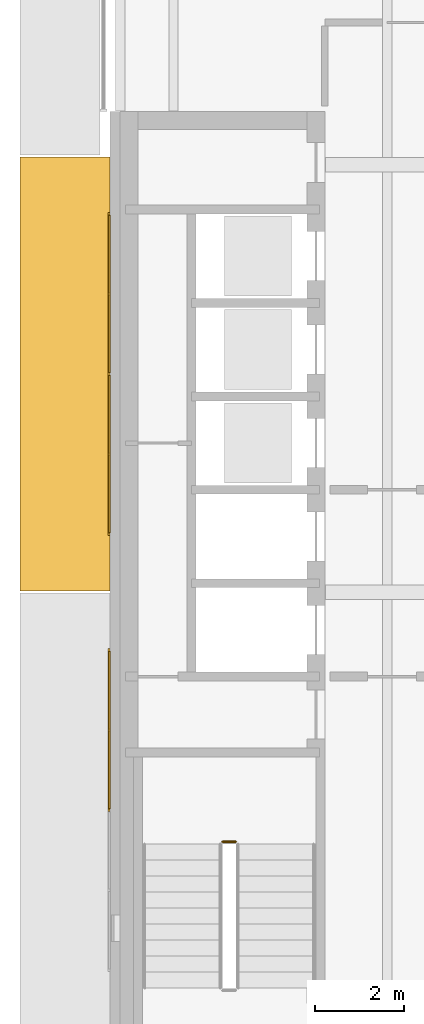
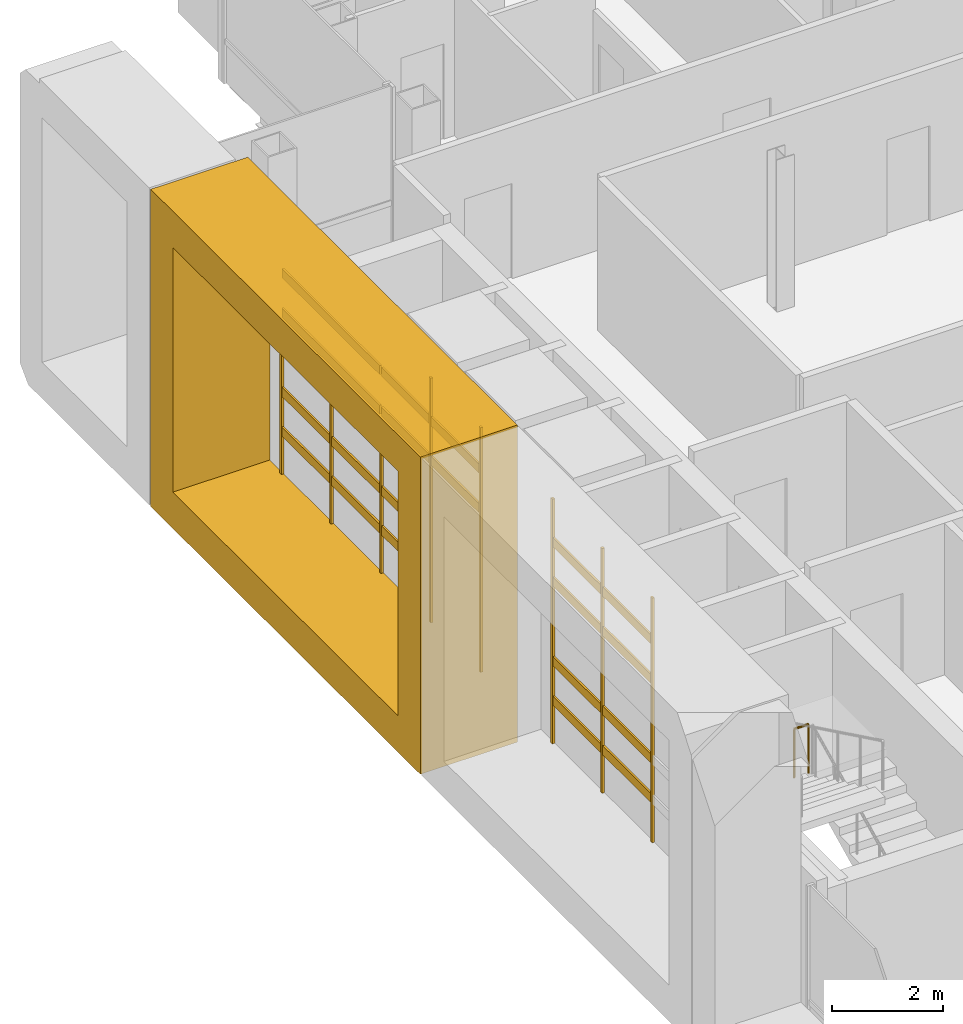
# One storey, part 16 of 21: 21 coverings, 1 railing.
"""IFC4 building model written with IfcOpenShell, lengths in metres."""

from ifc_helpers import new_model, si_unit, direction, frame, origin, origin_2d, place, context, subcontext, project, spatial, polyline, rectangle, circle, outline, extrude, material, type_object, element, save


model = new_model("IFC4")

# Units and contexts
model_context = context("Model", 3, precision=1e-05, world=origin(), true_north=direction((0.0, 1.0)))
body_context = subcontext(model_context, "Body", "Model", "MODEL_VIEW")
ifc_project = project(units=[si_unit("LENGTHUNIT", "METRE"), si_unit("AREAUNIT", "SQUARE_METRE"), si_unit("VOLUMEUNIT", "CUBIC_METRE"), si_unit("PLANEANGLEUNIT", "RADIAN"), si_unit("MASSUNIT", "GRAM", prefix="KILO")], contexts=[model_context])

# Site, building, storey
site_placement = place(None, origin())
site = spatial("IfcSite", under=ifc_project, at=site_placement, CompositionType="ELEMENT")
building_placement = place(site_placement, origin())
building = spatial("IfcBuilding", under=site, at=building_placement, Name="Cobrizo Arcos Hotel Tower", CompositionType="ELEMENT")
storey_placement = place(building_placement, frame((0.0, 0.0, 248.0)))
storey = spatial("IfcBuildingStorey", under=building, at=storey_placement, Name="L65", CompositionType="ELEMENT", Elevation=248.0)

# Coverings
ifc_material_1 = material(Name="Aluminium 6063-T6 anodised bronze", Category="aluminium")
covering_type_1 = type_object("IfcCoveringType", Name="FIN-F 2025", PredefinedType="CLADDING", material=ifc_material_1)
covering_placement = place(storey_placement, frame((-20.625, 9.77490234375, 0.0), z_axis=(-1.0, 0.0, 0.0), x_axis=(0.0, -1.0, 0.0)))
element("IfcCovering", 1, at=covering_placement, inside=storey, type_object=covering_type_1, Name="Fin frame 428", PredefinedType="CLADDING", context=body_context, shape_type="SweptSolid", body=[
    extrude(outline(polyline([(0.0, 7.0), (0.0, 0.0), (9.75, 0.0), (9.75, 7.0), (0.0, 7.0)]), holes=[polyline([(8.949951171875, 0.800048828125), (0.800048828125, 0.800048828125), (0.800048828125, 6.199951171875), (8.949951171875, 6.199951171875), (8.949951171875, 0.800048828125)])]), origin(), (0.0, 0.0, 1.0), 2.02490234375),
])
ifc_material_2 = material(Name="Aluminium 6063-T6 anodised pale", Category="aluminium")
covering_type_2 = type_object("IfcCoveringType", Name="RS-2 rainscreen rib 60x50", PredefinedType="CLADDING", material=ifc_material_2)
for number, where, z_axis, x_axis, name in (
    (2, (-20.64990234375, 8.5, 0.800048828125), (0.0, 0.0, 1.0), (0.0, -1.0, 0.0), "Rainscreen rib 321"),
    (3, (-20.64990234375, 6.699951171875, 0.800048828125), (0.0, 0.0, 1.0), (0.0, -1.0, 0.0), "Rainscreen rib 322"),
    (4, (-20.64990234375, 4.89990234375, 0.800048828125), (0.0, 0.0, 1.0), (0.0, -1.0, 0.0), "Rainscreen rib 323"),
    (5, (-20.64990234375, 3.10009765625, 0.800048828125), (0.0, 0.0, 1.0), (0.0, -1.0, 0.0), "Rainscreen rib 324"),
    (6, (-20.64990234375, 1.300048828125, 0.800048828125), (0.0, 0.0, 1.0), (0.0, -1.0, 0.0), "Rainscreen rib 325"),
    (7, (-20.64990234375, -1.300048828125, 0.800048828125), (0.0, 0.0, 1.0), (0.0, -1.0, 0.0), "Rainscreen rib 326"),
    (8, (-20.64990234375, -3.10009765625, 0.800048828125), (0.0, 0.0, 1.0), (0.0, -1.0, 0.0), "Rainscreen rib 327"),
    (9, (-20.64990234375, -4.89990234375, 0.800048828125), (0.0, 0.0, 1.0), (0.0, -1.0, 0.0), "Rainscreen rib 328"),
):
    element("IfcCovering", number, at=place(storey_placement, frame(where, z_axis=z_axis, x_axis=x_axis)), inside=storey, type_object=covering_type_2, Name=name, PredefinedType="CLADDING", context=body_context, shape_type="SweptSolid", body=[
        extrude(rectangle(XDim=0.06005859375, YDim=0.050048828125, at=origin_2d()), origin(), (0.0, 0.0, 1.0), 5.39990234375),
    ])
covering_type_3 = type_object("IfcCoveringType", Name="RS-3 rainscreen louvre slat 200x40", PredefinedType="CLADDING", material=ifc_material_2)
for number, where, z_axis, x_axis, name in (
    (10, (-20.64501953125, 6.699951171875, 1.64990234375), (0.0, 0.0, 1.0), (0.0, -1.0, 0.0), "Rainscreen slat 181"),
    (11, (-20.64501953125, 6.699951171875, 2.52490234375), (0.0, 0.0, 1.0), (0.0, -1.0, 0.0), "Rainscreen slat 182"),
    (12, (-20.64501953125, 3.10009765625, 1.64990234375), (0.0, 0.0, 1.0), (0.0, -1.0, 0.0), "Rainscreen slat 183"),
    (13, (-20.64501953125, 3.10009765625, 2.52490234375), (0.0, 0.0, 1.0), (0.0, -1.0, 0.0), "Rainscreen slat 184"),
    (14, (-20.64501953125, 6.699951171875, 4.27490234375), (0.0, 0.0, 1.0), (0.0, -1.0, 0.0), "Rainscreen slat 185"),
    (15, (-20.64501953125, 6.699951171875, 5.14990234375), (0.0, 0.0, 1.0), (0.0, -1.0, 0.0), "Rainscreen slat 186"),
    (16, (-20.64501953125, 3.10009765625, 4.27490234375), (0.0, 0.0, 1.0), (0.0, -1.0, 0.0), "Rainscreen slat 187"),
    (17, (-20.64501953125, 3.10009765625, 5.14990234375), (0.0, 0.0, 1.0), (0.0, -1.0, 0.0), "Rainscreen slat 188"),
    (18, (-20.64501953125, -3.10009765625, 1.64990234375), (0.0, 0.0, 1.0), (0.0, -1.0, 0.0), "Rainscreen slat 189"),
    (19, (-20.64501953125, -3.10009765625, 2.52490234375), (0.0, 0.0, 1.0), (0.0, -1.0, 0.0), "Rainscreen slat 190"),
    (20, (-20.64501953125, -3.10009765625, 4.27490234375), (0.0, 0.0, 1.0), (0.0, -1.0, 0.0), "Rainscreen slat 193"),
    (21, (-20.64501953125, -3.10009765625, 5.14990234375), (0.0, 0.0, 1.0), (0.0, -1.0, 0.0), "Rainscreen slat 194"),
):
    element("IfcCovering", number, at=place(storey_placement, frame(where, z_axis=z_axis, x_axis=x_axis)), inside=storey, type_object=covering_type_3, Name=name, PredefinedType="CLADDING", context=body_context, shape_type="SweptSolid", body=[
        extrude(rectangle(XDim=3.5400390625, YDim=0.0400390625, at=origin_2d()), origin(), (0.0, 0.0, 1.0), 0.199951171875),
    ])

# Railing
ifc_material_3 = material(Name="Stainless steel railing", Category="steel")
railing_type = type_object("IfcRailingType", Name="Stair guard 1100", PredefinedType="GUARDRAIL", material=ifc_material_3)
railing_placement = place(storey_placement, frame((-17.800048828125, -5.610107421875, 1.75)))
element("IfcRailing", 22, at=railing_placement, inside=storey, type_object=railing_type, Name="L65 ST-W stair guard 2", PredefinedType="GUARDRAIL", context=body_context, shape_type="SweptSolid", body=[
    extrude(circle(Radius=0.02392578125, at=origin_2d()), frame((0.0, 0.0, 1.076171875), z_axis=(-1.0, 0.0, 0.0), x_axis=(0.0, -1.0, 0.0)), (0.0, 0.0, 1.0), 0.300048828125),
    extrude(circle(Radius=0.02099609375, at=origin_2d()), origin(), (0.0, 0.0, 1.0), 1.052001953125),
    extrude(circle(Radius=0.02099609375, at=origin_2d()), frame((-0.300048828125, 0.0, 0.0)), (0.0, 0.0, 1.0), 1.052001953125),
])

save(model, "model.ifc")
